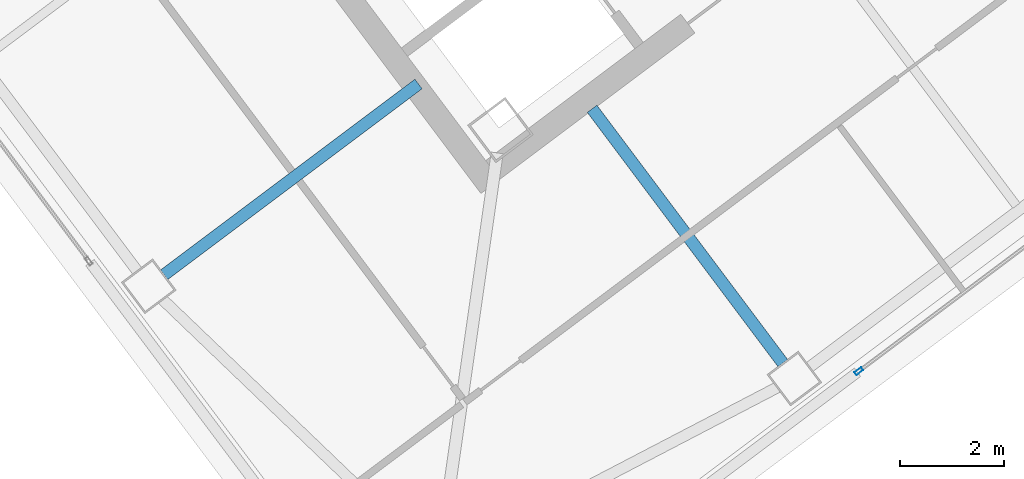
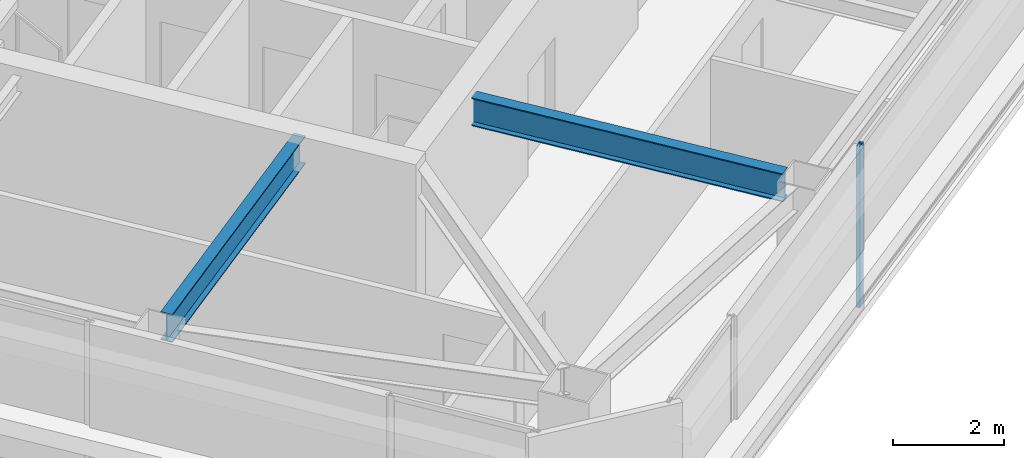
# One storey, part 17 of 36: 2 beams, 1 member, 1 element without a shape of its own.
"""IFC4 building model written with IfcOpenShell, lengths in metres."""

from ifc_helpers import new_model, si_unit, direction, frame, origin, origin_2d, place, context, subcontext, project, spatial, hollow_rectangle, i_section, extrude, material, material_profile, profile_set, type_object, element, aggregate, save


model = new_model("IFC4")

# Units and contexts
model_context = context("Model", 3, precision=1e-05, world=origin(), true_north=direction((0.0, 1.0)))
body_context = subcontext(model_context, "Body", "Model", "MODEL_VIEW")
ifc_project = project(units=[si_unit("LENGTHUNIT", "METRE"), si_unit("AREAUNIT", "SQUARE_METRE"), si_unit("VOLUMEUNIT", "CUBIC_METRE"), si_unit("PLANEANGLEUNIT", "RADIAN"), si_unit("MASSUNIT", "GRAM", prefix="KILO")], contexts=[model_context])

# Site, building, storey
site_placement = place(None, origin())
site = spatial("IfcSite", under=ifc_project, at=site_placement, CompositionType="ELEMENT")
building_placement = place(site_placement, origin())
building = spatial("IfcBuilding", under=site, at=building_placement, Name="Tashvorn Skyway Center", CompositionType="ELEMENT")
storey_placement = place(building_placement, frame((0.0, 0.0, 236.14990234375)))
storey = spatial("IfcBuildingStorey", under=building, at=storey_placement, Name="L64", CompositionType="ELEMENT", Elevation=236.14990234375)

# Beams
ifc_material_1 = material(Name="Steel ASTM A992 Grade 50", Category="steel")
ifc_material_profile_1 = material_profile(ifc_material_1, i_section(OverallWidth=0.22998046875, OverallDepth=0.616943359375, WebThickness=0.01318359375, FlangeThickness=0.022216796875, at=origin_2d()), Name="W24X94")
ifc_profile_set_1 = profile_set([ifc_material_profile_1], Name="Steel ASTM A992 Grade 50")
beam_type = type_object("IfcBeamType", Name="BM-BEAM-W24X94", PredefinedType="BEAM", material=ifc_profile_set_1)
for number, where, z_axis, x_axis, name in (
    (1, (118.008056640625, 17.656005859375, 3.0615234375), (-0.600025614447, 0.799980788524, 0.0), (-0.799980788524, -0.600025614447, 0.0), "Tower 2 L64 Primary Floor Girder FC-S1"),
    (2, (106.135986328125, 19.35205078125, 3.0615234375), (0.800014407953, 0.599980788915, 0.0), (-0.599980788915, 0.800014407953, 0.0), "Tower 2 L64 Primary Floor Girder FC-W2"),
):
    element("IfcBeam", number, at=place(storey_placement, frame(where, z_axis=z_axis, x_axis=x_axis)), inside=storey, type_object=beam_type, Name=name, PredefinedType="BEAM", context=body_context, shape_type="SweptSolid", body=[
        extrude(i_section(OverallWidth=0.22998046875, OverallDepth=0.616943359375, WebThickness=0.01318359375, FlangeThickness=0.022216796875, at=origin_2d()), origin(), (0.0, 0.0, 1.0), 6.10009765625),
    ])

# Curtain wall, member
ifc_material_2 = material(Name="Thermally broken bronze-anodized aluminium 6063-T6", Category="aluminium")
curtain_wall_type = type_object("IfcCurtainWallType", Name="CW-CW-Z5", PredefinedType="NOTDEFINED", material=ifc_material_2)
curtain_wall_placement = place(storey_placement, origin())
curtain_wall = element("IfcCurtainWall", 3, at=curtain_wall_placement, inside=storey, type_object=curtain_wall_type, Name="Tower 2 L64 South Unitised Curtain Wall Glazing Group 2", PredefinedType="NOTDEFINED")
ifc_material_profile_2 = material_profile(ifc_material_2, hollow_rectangle(XDim=0.070068359375, YDim=0.1650390625, WallThickness=0.00390625, at=origin_2d()), Name="ALU-MULL-70x165")
ifc_profile_set_2 = profile_set([ifc_material_profile_2], Name="Thermally broken bronze-anodized aluminium 6063-T6")
member_type = type_object("IfcMemberType", Name="CWM-CW-Z5", PredefinedType="MULLION", material=ifc_profile_set_2)
member_placement = place(storey_placement, frame((119.468017578125, 17.5009765625, 0.0), z_axis=(0.0, 0.0, 1.0), x_axis=(0.600000000002, -0.799999999998, 0.0)))
member = element("IfcMember", 4, at=member_placement, type_object=member_type, Name="CW-Z5 mullion 2", PredefinedType="MULLION", context=body_context, shape_type="SweptSolid", body=[
    extrude(hollow_rectangle(XDim=0.070068359375, YDim=0.1650390625, WallThickness=0.00390625, at=origin_2d()), origin(), (0.0, 0.0, 1.0), 3.550048828125),
])
aggregate(curtain_wall, [member])

save(model, "model.ifc")
